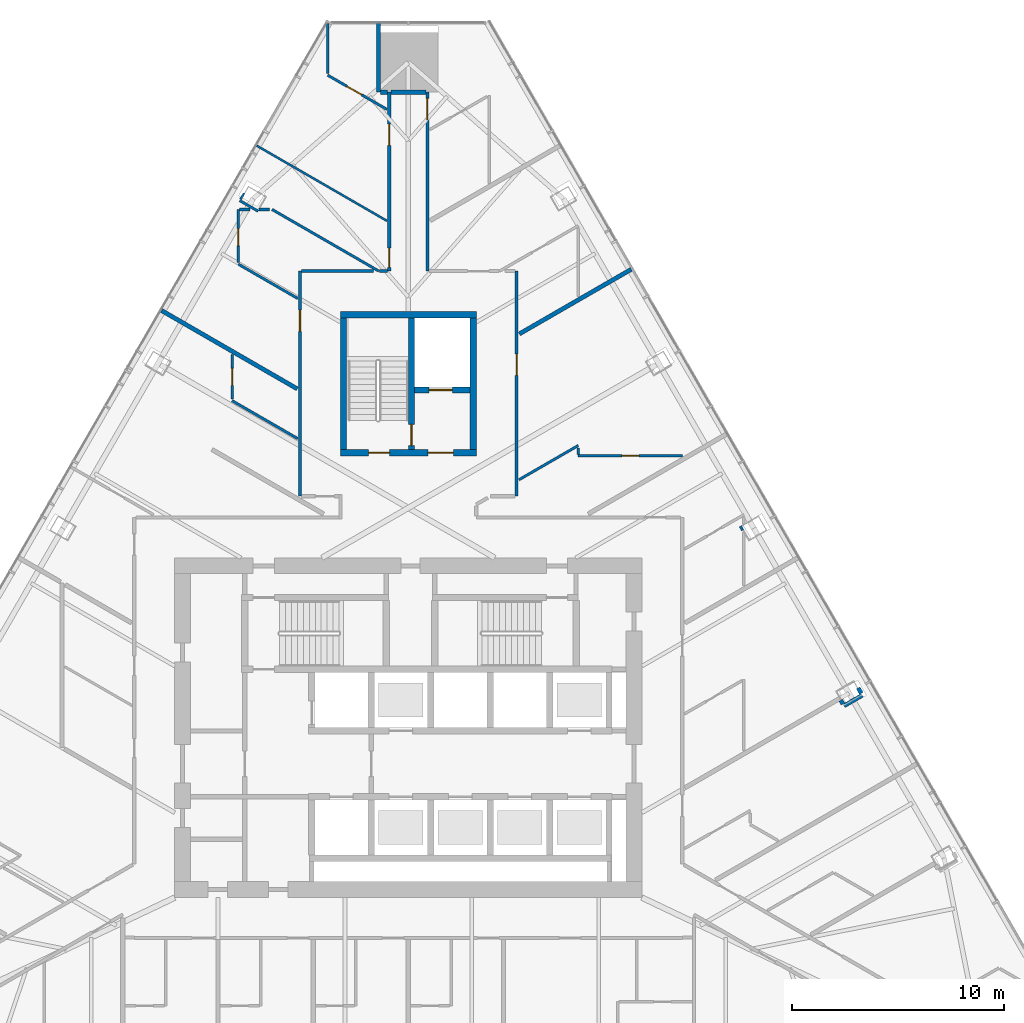
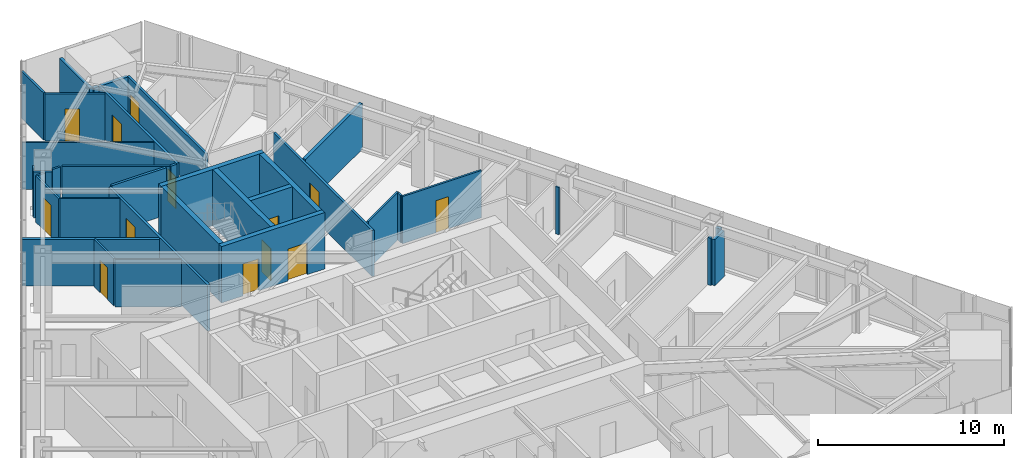
# One storey, part 18 of 21: 36 walls, 13 doors, 13 openings.
"""IFC4 building model written with IfcOpenShell, lengths in metres."""

from ifc_helpers import new_model, si_unit, direction, frame, frame_2d, origin, place, context, subcontext, project, spatial, rectangle, extrude, material, layer, layer_set, type_object, element, fill, save


model = new_model("IFC4")

# Units and contexts
model_context = context("Model", 3, precision=1e-05, world=origin(), true_north=direction((0.0, 1.0)))
body_context = subcontext(model_context, "Body", "Model", "MODEL_VIEW")
ifc_project = project(units=[si_unit("LENGTHUNIT", "METRE"), si_unit("AREAUNIT", "SQUARE_METRE"), si_unit("VOLUMEUNIT", "CUBIC_METRE"), si_unit("PLANEANGLEUNIT", "RADIAN"), si_unit("MASSUNIT", "GRAM", prefix="KILO")], contexts=[model_context])

# Site, building, storey
site_placement = place(None, origin())
site = spatial("IfcSite", under=ifc_project, at=site_placement, CompositionType="ELEMENT")
building_placement = place(site_placement, origin())
building = spatial("IfcBuilding", under=site, at=building_placement, Name="Firuza Gate Tower and Library", CompositionType="ELEMENT")
storey_placement = place(building_placement, frame((0.0, 0.0, 167.5)))
storey = spatial("IfcBuildingStorey", under=building, at=storey_placement, Name="L38", CompositionType="ELEMENT", Elevation=167.5)

# Wall, openings, doors
ifc_material_1 = material(Name="Concrete C80/95", Category="concrete")
ifc_layer_1 = layer(ifc_material_1, 0.300048828125)
ifc_layer_set_1 = layer_set([ifc_layer_1], Name="Core wall 300 C80/95")
wall_type_1 = type_object("IfcWallType", Name="Core wall 300 C80/95", PredefinedType="SHEAR", material=ifc_layer_set_1)
wall_1_placement = place(storey_placement, frame((71.800048828125, 87.949951171875, 0.0), z_axis=(0.0, 0.0, 1.0), x_axis=(1.0, 0.0, 0.0)))
wall_1 = element("IfcWall", 1, at=wall_1_placement, inside=storey, type_object=wall_type_1, Name="Core wall L38 27", PredefinedType="SHEAR", context=body_context, shape_type="SweptSolid", body=[
    extrude(rectangle(XDim=6.39990234375, YDim=0.300048828125, at=frame_2d((3.199951171875, 0.0))), origin(), (0.0, 0.0, 1.0), 3.699951171875),
])
opening_1_placement = place(wall_1_placement, frame((1.324951171875, 0.0, 0.0)))
opening_1 = element("IfcOpeningElement", 2, at=opening_1_placement, cuts=wall_1, Name="Opening L38-K15", PredefinedType="OPENING", context=body_context, shape_type="SweptSolid", body=[
    extrude(rectangle(XDim=1.0, YDim=2.10009765625, at=frame_2d((0.5, 1.050048828125))), frame((0.0, 0.16015625, 0.0), z_axis=(0.0, -1.0, 0.0), x_axis=(1.0, 0.0, 0.0)), (0.0, 0.0, 1.0), 0.320068359375),
])
opening_2_placement = place(wall_1_placement, frame((4.125, 0.0, 0.0)))
opening_2 = element("IfcOpeningElement", 3, at=opening_2_placement, cuts=wall_1, Name="Opening L38-K17", PredefinedType="OPENING", context=body_context, shape_type="SweptSolid", body=[
    extrude(rectangle(XDim=1.199951171875, YDim=2.10009765625, at=frame_2d((0.60009765625, 1.050048828125))), frame((0.0, 0.16015625, 0.0), z_axis=(0.0, -1.0, 0.0), x_axis=(1.0, 0.0, 0.0)), (0.0, 0.0, 1.0), 0.320068359375),
])
ifc_material_2 = material(Name="Steel", Category="steel")
door_type_1 = type_object("IfcDoorType", Name="Fire door 1000x2100 FD90", OperationType="NOTDEFINED", PredefinedType="DOOR", material=ifc_material_2)
door_1_placement = place(opening_1_placement, origin())
door_1 = element("IfcDoor", 4, at=door_1_placement, inside=storey, type_object=door_type_1, Name="Door L38-K15", OperationType="SINGLE_SWING_RIGHT", OverallHeight=2.10009765625, OverallWidth=1.0, PredefinedType="DOOR", context=body_context, shape_type="SweptSolid", body=[
    extrude(rectangle(XDim=1.0, YDim=2.10009765625, at=frame_2d((0.5, 1.050048828125))), frame((0.0, 0.02490234375, 0.0), z_axis=(0.0, -1.0, 0.0), x_axis=(1.0, 0.0, 0.0)), (0.0, 0.0, 1.0), 0.050048828125),
])
fill(opening_1, door_1)
ifc_material_3 = material(Name="Steel", Category="steel")
door_type_2 = type_object("IfcDoorType", Name="Fire door 1200x2100 FD30S", OperationType="NOTDEFINED", PredefinedType="DOOR", material=ifc_material_3)
door_2_placement = place(opening_2_placement, origin())
door_2 = element("IfcDoor", 5, at=door_2_placement, inside=storey, type_object=door_type_2, Name="Door L38-K17", OperationType="SINGLE_SWING_RIGHT", OverallHeight=2.10009765625, OverallWidth=1.199951171875, PredefinedType="DOOR", context=body_context, shape_type="SweptSolid", body=[
    extrude(rectangle(XDim=1.199951171875, YDim=2.10009765625, at=frame_2d((0.60009765625, 1.050048828125))), frame((0.0, 0.02490234375, 0.0), z_axis=(0.0, -1.0, 0.0), x_axis=(1.0, 0.0, 0.0)), (0.0, 0.0, 1.0), 0.050048828125),
])
fill(opening_2, door_2)

# Walls
wall_2_placement = place(storey_placement, frame((71.800048828125, 94.449951171875, 0.0), z_axis=(0.0, 0.0, 1.0), x_axis=(1.0, 0.0, 0.0)))
element("IfcWall", 6, at=wall_2_placement, inside=storey, type_object=wall_type_1, Name="Core wall L38 28", PredefinedType="SHEAR", context=body_context, shape_type="SweptSolid", body=[
    extrude(rectangle(XDim=6.39990234375, YDim=0.300048828125, at=frame_2d((3.199951171875, 0.0))), origin(), (0.0, 0.0, 1.0), 3.699951171875),
])
for number, where, z_axis, x_axis, name in (
    (7, (71.949951171875, 88.10009765625, 0.0), (0.0, 0.0, 1.0), (0.0, 1.0, 0.0), "Core wall L38 29"),
    (8, (78.050048828125, 88.10009765625, 0.0), (0.0, 0.0, 1.0), (0.0, 1.0, 0.0), "Core wall L38 30"),
):
    element("IfcWall", number, at=place(storey_placement, frame(where, z_axis=z_axis, x_axis=x_axis)), inside=storey, type_object=wall_type_1, Name=name, PredefinedType="SHEAR", context=body_context, shape_type="SweptSolid", body=[
        extrude(rectangle(XDim=6.199951171875, YDim=0.300048828125, at=frame_2d((3.10009765625, 0.0))), origin(), (0.0, 0.0, 1.0), 3.699951171875),
    ])

# Wall, opening, door
wall_3_placement = place(storey_placement, frame((75.300048828125, 90.89990234375, 0.0), z_axis=(0.0, 0.0, 1.0), x_axis=(1.0, 0.0, 0.0)))
wall_3 = element("IfcWall", 9, at=wall_3_placement, inside=storey, type_object=wall_type_1, Name="Core wall L38 31", PredefinedType="SHEAR", context=body_context, shape_type="SweptSolid", body=[
    extrude(rectangle(XDim=2.599853515625, YDim=0.300048828125, at=frame_2d((1.2998046875, 0.0))), origin(), (0.0, 0.0, 1.0), 3.699951171875),
])
opening_3_placement = place(wall_3_placement, frame((0.675048828125, 0.0, 0.0)))
opening_3 = element("IfcOpeningElement", 10, at=opening_3_placement, cuts=wall_3, Name="Opening LD-SV1-L38", PredefinedType="OPENING", context=body_context, shape_type="SweptSolid", body=[
    extrude(rectangle(XDim=1.10009765625, YDim=2.10009765625, at=frame_2d((0.550048828125, 1.050048828125))), frame((0.0, 0.16015625, 0.0), z_axis=(0.0, -1.0, 0.0), x_axis=(1.0, 0.0, 0.0)), (0.0, 0.0, 1.0), 0.320068359375),
])
ifc_material_4 = material(Name="Stainless steel", Category="steel")
door_type_3 = type_object("IfcDoorType", Name="Lift landing door 1100x2100", OperationType="DOUBLE_DOOR_SLIDING", PredefinedType="DOOR", material=ifc_material_4)
door_3_placement = place(opening_3_placement, origin())
door_3 = element("IfcDoor", 11, at=door_3_placement, inside=storey, type_object=door_type_3, Name="Landing door SV1 L38", OperationType="DOUBLE_DOOR_SLIDING", OverallHeight=2.10009765625, OverallWidth=1.10009765625, PredefinedType="DOOR", context=body_context, shape_type="SweptSolid", body=[
    extrude(rectangle(XDim=1.10009765625, YDim=2.10009765625, at=frame_2d((0.550048828125, 1.050048828125))), frame((0.0, 0.02490234375, 0.0), z_axis=(0.0, -1.0, 0.0), x_axis=(1.0, 0.0, 0.0)), (0.0, 0.0, 1.0), 0.050048828125),
])
fill(opening_3, door_3)

wall_4_placement = place(storey_placement, frame((75.14990234375, 88.10009765625, 0.0), z_axis=(0.0, 0.0, 1.0), x_axis=(0.0, 1.0, 0.0)))
wall_4 = element("IfcWall", 12, at=wall_4_placement, inside=storey, type_object=wall_type_1, Name="Core wall L38 32", PredefinedType="SHEAR", context=body_context, shape_type="SweptSolid", body=[
    extrude(rectangle(XDim=6.199951171875, YDim=0.300048828125, at=frame_2d((3.10009765625, 0.0))), origin(), (0.0, 0.0, 1.0), 3.699951171875),
])
opening_4_placement = place(wall_4_placement, frame((0.18505859375, 0.0, 0.0)))
opening_4 = element("IfcOpeningElement", 13, at=opening_4_placement, cuts=wall_4, Name="Opening L38-K16", PredefinedType="OPENING", context=body_context, shape_type="SweptSolid", body=[
    extrude(rectangle(XDim=1.0, YDim=2.10009765625, at=frame_2d((0.5, 1.050048828125))), frame((0.0, 0.16015625, 0.0), z_axis=(0.0, -1.0, 0.0), x_axis=(1.0, 0.0, 0.0)), (0.0, 0.0, 1.0), 0.320068359375),
])
door_4_placement = place(opening_4_placement, origin())
door_4 = element("IfcDoor", 14, at=door_4_placement, inside=storey, type_object=door_type_1, Name="Door L38-K16", OperationType="SINGLE_SWING_LEFT", OverallHeight=2.10009765625, OverallWidth=1.0, PredefinedType="DOOR", context=body_context, shape_type="SweptSolid", body=[
    extrude(rectangle(XDim=1.0, YDim=2.10009765625, at=frame_2d((0.5, 1.050048828125))), frame((0.0, 0.02490234375, 0.0), z_axis=(0.0, -1.0, 0.0), x_axis=(1.0, 0.0, 0.0)), (0.0, 0.0, 1.0), 0.050048828125),
])
fill(opening_4, door_4)

# Wall
ifc_material_5 = material(Name="Gypsum board partition")
ifc_layer_2 = layer(ifc_material_5, 0.14990234375)
ifc_layer_set_2 = layer_set([ifc_layer_2], Name="Corridor wall 150 double board on steel studs")
wall_type_2 = type_object("IfcWallType", Name="Corridor wall 150 double board on steel studs", PredefinedType="PARTITIONING", material=ifc_layer_set_2)
wall_5_placement = place(storey_placement, frame((69.97509765625, 96.5, 0.0), z_axis=(0.0, 0.0, 1.0), x_axis=(1.0, 0.0, 0.0)))
element("IfcWall", 15, at=wall_5_placement, inside=storey, type_object=wall_type_2, Name="f:L38:w016", PredefinedType="PARTITIONING", context=body_context, shape_type="SweptSolid", body=[
    extrude(rectangle(XDim=3.384033203125, YDim=0.14990234375, at=frame_2d((1.69189453125, 0.0))), origin(), (0.0, 0.0, 1.0), 3.10009765625),
])

# Wall, opening, door
wall_6_placement = place(storey_placement, frame((80.10009765625, 96.5, 0.0), z_axis=(0.0, 0.0, 1.0), x_axis=(0.0, -1.0, 0.0)))
wall_6 = element("IfcWall", 16, at=wall_6_placement, inside=storey, type_object=wall_type_2, Name="f:L38:w059", PredefinedType="PARTITIONING", context=body_context, shape_type="SweptSolid", body=[
    extrude(rectangle(XDim=10.60009765625, YDim=0.14990234375, at=frame_2d((5.300048828125, 0.0))), origin(), (0.0, 0.0, 1.0), 3.02197265625),
])
opening_5_placement = place(wall_6_placement, frame((3.908935546875, 0.0, 0.0)))
opening_5 = element("IfcOpeningElement", 17, at=opening_5_placement, cuts=wall_6, Name="Opening L38-34", PredefinedType="OPENING", context=body_context, shape_type="SweptSolid", body=[
    extrude(rectangle(XDim=1.0, YDim=2.10009765625, at=frame_2d((0.5, 1.050048828125))), frame((0.0, 0.0849609375, 0.0), z_axis=(0.0, -1.0, 0.0), x_axis=(1.0, 0.0, 0.0)), (0.0, 0.0, 1.0), 0.169921875),
])
ifc_material_6 = material(Name="Steel door and timber leaf", Category="steel")
door_type_4 = type_object("IfcDoorType", Name="Fire door 1000 x 2100 steel frame, timber leaf", OperationType="NOTDEFINED", PredefinedType="DOOR", material=ifc_material_6)
door_5_placement = place(opening_5_placement, origin())
door_5 = element("IfcDoor", 18, at=door_5_placement, inside=storey, type_object=door_type_4, Name="f:L38:d034", OperationType="SINGLE_SWING_RIGHT", OverallHeight=2.10009765625, OverallWidth=1.0, PredefinedType="DOOR", context=body_context, shape_type="SweptSolid", body=[
    extrude(rectangle(XDim=1.0, YDim=2.10009765625, at=frame_2d((0.5, 1.050048828125))), frame((0.0, 0.02490234375, 0.0), z_axis=(0.0, -1.0, 0.0), x_axis=(1.0, 0.0, 0.0)), (0.0, 0.0, 1.0), 0.050048828125),
])
fill(opening_5, door_5)

wall_7_placement = place(storey_placement, frame((75.89990234375, 104.923095703125, 0.0), z_axis=(0.0, 0.0, 1.0), x_axis=(0.0, -1.0, 0.0)))
wall_7 = element("IfcWall", 19, at=wall_7_placement, inside=storey, type_object=wall_type_2, Name="f:L38:w064", PredefinedType="PARTITIONING", context=body_context, shape_type="SweptSolid", body=[
    extrude(rectangle(XDim=8.423095703125, YDim=0.14990234375, at=frame_2d((4.21142578125, 0.0))), origin(), (0.0, 0.0, 1.0), 3.10009765625),
])
opening_6_placement = place(wall_7_placement, frame((0.29443359375, 0.0, 0.0)))
opening_6 = element("IfcOpeningElement", 20, at=opening_6_placement, cuts=wall_7, Name="Opening L38-35", PredefinedType="OPENING", context=body_context, shape_type="SweptSolid", body=[
    extrude(rectangle(XDim=1.0, YDim=2.10009765625, at=frame_2d((0.5, 1.050048828125))), frame((0.0, 0.0849609375, 0.0), z_axis=(0.0, -1.0, 0.0), x_axis=(1.0, 0.0, 0.0)), (0.0, 0.0, 1.0), 0.169921875),
])
door_6_placement = place(opening_6_placement, origin())
door_6 = element("IfcDoor", 21, at=door_6_placement, inside=storey, type_object=door_type_4, Name="f:L38:d035", OperationType="SINGLE_SWING_RIGHT", OverallHeight=2.10009765625, OverallWidth=1.0, PredefinedType="DOOR", context=body_context, shape_type="SweptSolid", body=[
    extrude(rectangle(XDim=1.0, YDim=2.10009765625, at=frame_2d((0.5, 1.050048828125))), frame((0.0, 0.02490234375, 0.0), z_axis=(0.0, -1.0, 0.0), x_axis=(1.0, 0.0, 0.0)), (0.0, 0.0, 1.0), 0.050048828125),
])
fill(opening_6, door_6)

# Wall, openings, doors
wall_8_placement = place(storey_placement, frame((74.10009765625, 96.5, 0.0), z_axis=(0.0, 0.0, 1.0), x_axis=(0.0, 1.0, 0.0)))
wall_8 = element("IfcWall", 22, at=wall_8_placement, inside=storey, type_object=wall_type_2, Name="f:L38:w067", PredefinedType="PARTITIONING", context=body_context, shape_type="SweptSolid", body=[
    extrude(rectangle(XDim=8.423583984375, YDim=0.14990234375, at=frame_2d((4.2119140625, 0.0))), origin(), (0.0, 0.0, 1.0), 3.10009765625),
])
opening_7_placement = place(wall_8_placement, frame((0.175048828125, 0.0, 0.0)))
opening_7 = element("IfcOpeningElement", 23, at=opening_7_placement, cuts=wall_8, Name="Opening L38-36", PredefinedType="OPENING", context=body_context, shape_type="SweptSolid", body=[
    extrude(rectangle(XDim=0.89990234375, YDim=2.10009765625, at=frame_2d((0.449951171875, 1.050048828125))), frame((0.0, 0.0849609375, 0.0), z_axis=(0.0, -1.0, 0.0), x_axis=(1.0, 0.0, 0.0)), (0.0, 0.0, 1.0), 0.169921875),
])
opening_8_placement = place(wall_8_placement, frame((5.915771484375, 0.0, 0.0)))
opening_8 = element("IfcOpeningElement", 24, at=opening_8_placement, cuts=wall_8, Name="Opening L38-37", PredefinedType="OPENING", context=body_context, shape_type="SweptSolid", body=[
    extrude(rectangle(XDim=1.0, YDim=2.10009765625, at=frame_2d((0.5, 1.050048828125))), frame((0.0, 0.0849609375, 0.0), z_axis=(0.0, -1.0, 0.0), x_axis=(1.0, 0.0, 0.0)), (0.0, 0.0, 1.0), 0.169921875),
])
door_7_placement = place(opening_8_placement, origin())
door_7 = element("IfcDoor", 25, at=door_7_placement, inside=storey, type_object=door_type_4, Name="f:L38:d037", OperationType="SINGLE_SWING_LEFT", OverallHeight=2.10009765625, OverallWidth=1.0, PredefinedType="DOOR", context=body_context, shape_type="SweptSolid", body=[
    extrude(rectangle(XDim=1.0, YDim=2.10009765625, at=frame_2d((0.5, 1.050048828125))), frame((0.0, 0.02490234375, 0.0), z_axis=(0.0, -1.0, 0.0), x_axis=(1.0, 0.0, 0.0)), (0.0, 0.0, 1.0), 0.050048828125),
])
fill(opening_8, door_7)
ifc_material_7 = material(Name="Steel door and timber leaf", Category="steel")
door_type_5 = type_object("IfcDoorType", Name="Fire door 900 x 2100 steel frame, timber leaf", OperationType="NOTDEFINED", PredefinedType="DOOR", material=ifc_material_7)
door_8_placement = place(opening_7_placement, origin())
door_8 = element("IfcDoor", 26, at=door_8_placement, inside=storey, type_object=door_type_5, Name="f:L38:d036", OperationType="SINGLE_SWING_LEFT", OverallHeight=2.10009765625, OverallWidth=0.89990234375, PredefinedType="DOOR", context=body_context, shape_type="SweptSolid", body=[
    extrude(rectangle(XDim=0.89990234375, YDim=2.10009765625, at=frame_2d((0.449951171875, 1.050048828125))), frame((0.0, 0.02490234375, 0.0), z_axis=(0.0, -1.0, 0.0), x_axis=(1.0, 0.0, 0.0)), (0.0, 0.0, 1.0), 0.050048828125),
])
fill(opening_7, door_8)

# Wall, opening, door
wall_9_placement = place(storey_placement, frame((69.89990234375, 85.900390625, 0.0), z_axis=(0.0, 0.0, 1.0), x_axis=(0.0, 1.0, 0.0)))
wall_9 = element("IfcWall", 27, at=wall_9_placement, inside=storey, type_object=wall_type_2, Name="f:L38:w073", PredefinedType="PARTITIONING", context=body_context, shape_type="SweptSolid", body=[
    extrude(rectangle(XDim=10.599609375, YDim=0.14990234375, at=frame_2d((5.2998046875, 0.0))), origin(), (0.0, 0.0, 1.0), 3.02197265625),
])
opening_9_placement = place(wall_9_placement, frame((7.76025390625, 0.0, 0.0)))
opening_9 = element("IfcOpeningElement", 28, at=opening_9_placement, cuts=wall_9, Name="Opening L38-38", PredefinedType="OPENING", context=body_context, shape_type="SweptSolid", body=[
    extrude(rectangle(XDim=1.0, YDim=2.10009765625, at=frame_2d((0.5, 1.050048828125))), frame((0.0, 0.0849609375, 0.0), z_axis=(0.0, -1.0, 0.0), x_axis=(1.0, 0.0, 0.0)), (0.0, 0.0, 1.0), 0.169921875),
])
door_9_placement = place(opening_9_placement, origin())
door_9 = element("IfcDoor", 29, at=door_9_placement, inside=storey, type_object=door_type_4, Name="f:L38:d038", OperationType="SINGLE_SWING_RIGHT", OverallHeight=2.10009765625, OverallWidth=1.0, PredefinedType="DOOR", context=body_context, shape_type="SweptSolid", body=[
    extrude(rectangle(XDim=1.0, YDim=2.10009765625, at=frame_2d((0.5, 1.050048828125))), frame((0.0, 0.02490234375, 0.0), z_axis=(0.0, -1.0, 0.0), x_axis=(1.0, 0.0, 0.0)), (0.0, 0.0, 1.0), 0.050048828125),
])
fill(opening_9, door_9)

# Walls
wall_10_placement = place(storey_placement, frame((73.638671875, 96.5, 0.0), z_axis=(0.0, 0.0, 1.0), x_axis=(1.0, 0.0, 0.0)))
element("IfcWall", 30, at=wall_10_placement, inside=storey, type_object=wall_type_2, Name="f:L38:w115", PredefinedType="PARTITIONING", context=body_context, shape_type="SweptSolid", body=[
    extrude(rectangle(XDim=0.38623046875, YDim=0.14990234375, at=frame_2d((0.193115234375, 0.0))), origin(), (0.0, 0.0, 1.0), 3.10009765625),
])
ifc_material_8 = material(Name="Gypsum board partition")
ifc_layer_3 = layer(ifc_material_8, 0.199951171875)
ifc_layer_set_3 = layer_set([ifc_layer_3], Name="Demising wall 200 acoustic double stud")
wall_type_3 = type_object("IfcWallType", Name="Demising wall 200 acoustic double stud", PredefinedType="PARTITIONING", material=ifc_layer_set_3)
wall_11_placement = place(storey_placement, frame((73.700439453125, 104.923095703125, 0.0), z_axis=(0.0, 0.0, 1.0), x_axis=(1.0, 0.0, 0.0)))
element("IfcWall", 31, at=wall_11_placement, inside=storey, type_object=wall_type_3, Name="f:L38:w020", PredefinedType="PARTITIONING", context=body_context, shape_type="SweptSolid", body=[
    extrude(rectangle(XDim=0.324462890625, YDim=0.199951171875, at=frame_2d((0.162109375, 0.0))), origin(), (0.0, 0.0, 1.0), 3.10009765625),
])
wall_12_placement = place(storey_placement, frame((95.511962890625, 76.0322265625, 0.0), z_axis=(0.0, 0.0, 1.0), x_axis=(0.86597798544, 0.50008212199, 0.0)))
element("IfcWall", 32, at=wall_12_placement, inside=storey, type_object=wall_type_3, Name="f:L38:w027", PredefinedType="PARTITIONING", context=body_context, shape_type="SweptSolid", body=[
    extrude(rectangle(XDim=0.998779296875, YDim=0.199951171875, at=frame_2d((0.49951171875, 0.0))), origin(), (0.0, 0.0, 1.0), 3.02197265625),
])
wall_13_placement = place(storey_placement, frame((80.226806640625, 93.54052734375, 0.0), z_axis=(0.0, 0.0, 1.0), x_axis=(0.866033863416, 0.499985347202, 0.0)))
element("IfcWall", 33, at=wall_13_placement, inside=storey, type_object=wall_type_3, Name="f:L38:w041", PredefinedType="PARTITIONING", context=body_context, shape_type="SweptSolid", body=[
    extrude(rectangle(XDim=6.082763671875, YDim=0.199951171875, at=frame_2d((3.04150390625, 0.0))), origin(), (0.0, 0.0, 1.0), 3.02197265625),
])
wall_14_placement = place(storey_placement, frame((73.60009765625, 104.924072265625, 0.0), z_axis=(0.0, 0.0, 1.0), x_axis=(0.0, 1.0, 0.0)))
element("IfcWall", 34, at=wall_14_placement, inside=storey, type_object=wall_type_3, Name="f:L38:w068", PredefinedType="PARTITIONING", context=body_context, shape_type="SweptSolid", body=[
    extrude(rectangle(XDim=3.259521484375, YDim=0.199951171875, at=frame_2d((1.6298828125, 0.0))), origin(), (0.0, 0.0, 1.0), 3.10009765625),
])
wall_15_placement = place(storey_placement, frame((96.326904296875, 76.618896484375, 0.0), z_axis=(0.0, 0.0, 1.0), x_axis=(-0.49965177357, 0.866226359082, 0.0)))
element("IfcWall", 35, at=wall_15_placement, inside=storey, type_object=wall_type_3, Name="f:L38:w088", PredefinedType="PARTITIONING", context=body_context, shape_type="SweptSolid", body=[
    extrude(rectangle(XDim=0.299072265625, YDim=0.199951171875, at=frame_2d((0.1494140625, 0.0))), origin(), (0.0, 0.0, 1.0), 3.10009765625),
])
wall_16_placement = place(storey_placement, frame((95.4609375, 76.118896484375, 0.0), z_axis=(0.0, 0.0, 1.0), x_axis=(-0.500359323436, 0.865817848887, 0.0)))
element("IfcWall", 36, at=wall_16_placement, inside=storey, type_object=wall_type_3, Name="f:L38:w090", PredefinedType="PARTITIONING", context=body_context, shape_type="SweptSolid", body=[
    extrude(rectangle(XDim=0.198974609375, YDim=0.199951171875, at=frame_2d((0.099609375, 0.0))), origin(), (0.0, 0.0, 1.0), 3.10009765625),
])
wall_17_placement = place(storey_placement, frame((69.77294921875, 90.952880859375, 0.0), z_axis=(0.0, 0.0, 1.0), x_axis=(-0.866016371538, 0.500015643983, 0.0)))
element("IfcWall", 37, at=wall_17_placement, inside=storey, type_object=wall_type_3, Name="f:L38:w097", PredefinedType="PARTITIONING", context=body_context, shape_type="SweptSolid", body=[
    extrude(rectangle(XDim=7.376220703125, YDim=0.199951171875, at=frame_2d((3.68798828125, 0.0))), origin(), (0.0, 0.0, 1.0), 3.02197265625),
])
wall_18_placement = place(storey_placement, frame((74.175048828125, 104.923095703125, 0.0), z_axis=(0.0, 0.0, 1.0), x_axis=(1.0, 0.0, 0.0)))
element("IfcWall", 38, at=wall_18_placement, inside=storey, type_object=wall_type_3, Name="f:L38:w117", PredefinedType="PARTITIONING", context=body_context, shape_type="SweptSolid", body=[
    extrude(rectangle(XDim=1.6494140625, YDim=0.199951171875, at=frame_2d((0.82470703125, 0.0))), origin(), (0.0, 0.0, 1.0), 3.096923828125),
])
ifc_material_9 = material(Name="Gypsum board partition")
ifc_layer_4 = layer(ifc_material_9, 0.10009765625)
ifc_layer_set_4 = layer_set([ifc_layer_4], Name="Partition 100 gypsum board on steel studs")
wall_type_4 = type_object("IfcWallType", Name="Partition 100 gypsum board on steel studs", PredefinedType="PARTITIONING", material=ifc_layer_set_4)
wall_19_placement = place(storey_placement, frame((67.10009765625, 99.876708984375, 0.0), z_axis=(0.0, 0.0, 1.0), x_axis=(0.500277597875, 0.865865073245, 0.0)))
element("IfcWall", 39, at=wall_19_placement, inside=storey, type_object=wall_type_4, Name="f:L38:w046", PredefinedType="PARTITIONING", context=body_context, shape_type="SweptSolid", body=[
    extrude(rectangle(XDim=0.329833984375, YDim=0.10009765625, at=frame_2d((0.1650390625, 0.0))), origin(), (0.0, 0.0, 1.0), 3.10009765625),
])
wall_20_placement = place(storey_placement, frame((73.998779296875, 98.861572265625, 0.0), z_axis=(0.0, 0.0, 1.0), x_axis=(-0.866025982437, 0.499998997742, 0.0)))
element("IfcWall", 40, at=wall_20_placement, inside=storey, type_object=wall_type_4, Name="f:L38:w093", PredefinedType="PARTITIONING", context=body_context, shape_type="SweptSolid", body=[
    extrude(rectangle(XDim=7.08154296875, YDim=0.10009765625, at=frame_2d((3.540771484375, 0.0))), origin(), (0.0, 0.0, 1.0), 3.10009765625),
])

# Wall, opening, door
ifc_material_10 = material(Name="Gypsum board partition")
ifc_layer_5 = layer(ifc_material_10, 0.1201171875)
ifc_layer_set_5 = layer_set([ifc_layer_5], Name="Wet-area partition 120 moisture-resistant board")
wall_type_5 = type_object("IfcWallType", Name="Wet-area partition 120 moisture-resistant board", PredefinedType="PARTITIONING", material=ifc_layer_set_5)
wall_21_placement = place(storey_placement, frame((87.8984375, 87.800048828125, 0.0), z_axis=(0.0, 0.0, 1.0), x_axis=(-1.0, 0.0, 0.0)))
wall_21 = element("IfcWall", 41, at=wall_21_placement, inside=storey, type_object=wall_type_5, Name="f:L38:w015", PredefinedType="PARTITIONING", context=body_context, shape_type="SweptSolid", body=[
    extrude(rectangle(XDim=4.8984375, YDim=0.1201171875, at=frame_2d((2.44921875, 0.0))), origin(), (0.0, 0.0, 1.0), 3.10009765625),
])
opening_10_placement = place(wall_21_placement, frame((2.049072265625, 0.0, 0.0)))
opening_10 = element("IfcOpeningElement", 42, at=opening_10_placement, cuts=wall_21, Name="Opening L38-13", PredefinedType="OPENING", context=body_context, shape_type="SweptSolid", body=[
    extrude(rectangle(XDim=0.800048828125, YDim=2.10009765625, at=frame_2d((0.39990234375, 1.050048828125))), frame((0.0, 0.070068359375, 0.0), z_axis=(0.0, -1.0, 0.0), x_axis=(1.0, 0.0, 0.0)), (0.0, 0.0, 1.0), 0.14013671875),
])
ifc_material_11 = material(Name="Timber door", Category="wood")
door_type_6 = type_object("IfcDoorType", Name="Door 800 x 2100 timber leaf", OperationType="NOTDEFINED", PredefinedType="DOOR", material=ifc_material_11)
door_10_placement = place(opening_10_placement, origin())
door_10 = element("IfcDoor", 43, at=door_10_placement, inside=storey, type_object=door_type_6, Name="f:L38:d013", OperationType="SINGLE_SWING_LEFT", OverallHeight=2.10009765625, OverallWidth=0.800048828125, PredefinedType="DOOR", context=body_context, shape_type="SweptSolid", body=[
    extrude(rectangle(XDim=0.800048828125, YDim=2.10009765625, at=frame_2d((0.39990234375, 1.050048828125))), frame((0.0, 0.02490234375, 0.0), z_axis=(0.0, -1.0, 0.0), x_axis=(1.0, 0.0, 0.0)), (0.0, 0.0, 1.0), 0.050048828125),
])
fill(opening_10, door_10)

# Walls
wall_22_placement = place(storey_placement, frame((67.06005859375, 99.39990234375, 0.0), z_axis=(0.0, 0.0, 1.0), x_axis=(1.0, 0.0, 0.0)))
element("IfcWall", 44, at=wall_22_placement, inside=storey, type_object=wall_type_5, Name="f:L38:w018", PredefinedType="PARTITIONING", context=body_context, shape_type="SweptSolid", body=[
    extrude(rectangle(XDim=0.49560546875, YDim=0.1201171875, at=frame_2d((0.247802734375, 0.0))), origin(), (0.0, 0.0, 1.0), 3.02197265625),
])
wall_23_placement = place(storey_placement, frame((67.97998046875, 99.39990234375, 0.0), z_axis=(0.0, 0.0, 1.0), x_axis=(1.0, 0.0, 0.0)))
element("IfcWall", 45, at=wall_23_placement, inside=storey, type_object=wall_type_5, Name="f:L38:w019", PredefinedType="PARTITIONING", context=body_context, shape_type="SweptSolid", body=[
    extrude(rectangle(XDim=0.485595703125, YDim=0.1201171875, at=frame_2d((0.24267578125, 0.0))), origin(), (0.0, 0.0, 1.0), 3.10009765625),
])
wall_24_placement = place(storey_placement, frame((80.20947265625, 86.675048828125, 0.0), z_axis=(0.0, 0.0, 1.0), x_axis=(0.86604299788, 0.499969524894, 0.0)))
element("IfcWall", 46, at=wall_24_placement, inside=storey, type_object=wall_type_5, Name="f:L38:w040", PredefinedType="PARTITIONING", context=body_context, shape_type="SweptSolid", body=[
    extrude(rectangle(XDim=3.221923828125, YDim=0.1201171875, at=frame_2d((1.61083984375, 0.0))), origin(), (0.0, 0.0, 1.0), 3.10009765625),
])
wall_25_placement = place(storey_placement, frame((83.0, 87.860107421875, 0.0), z_axis=(0.0, 0.0, 1.0), x_axis=(0.0, 1.0, 0.0)))
element("IfcWall", 47, at=wall_25_placement, inside=storey, type_object=wall_type_5, Name="f:L38:w057", PredefinedType="PARTITIONING", context=body_context, shape_type="SweptSolid", body=[
    extrude(rectangle(XDim=0.316162109375, YDim=0.1201171875, at=frame_2d((0.158203125, 0.0))), origin(), (0.0, 0.0, 1.0), 3.10009765625),
])
wall_26_placement = place(storey_placement, frame((71.199951171875, 105.7939453125, 0.0), z_axis=(0.0, 0.0, 1.0), x_axis=(0.0, 1.0, 0.0)))
element("IfcWall", 48, at=wall_26_placement, inside=storey, type_object=wall_type_5, Name="f:L38:w071", PredefinedType="PARTITIONING", context=body_context, shape_type="SweptSolid", body=[
    extrude(rectangle(XDim=2.359619140625, YDim=0.1201171875, at=frame_2d((1.1796875, 0.0))), origin(), (0.0, 0.0, 1.0), 3.10009765625),
])

# Wall, opening, door
wall_27_placement = place(storey_placement, frame((67.0, 99.39990234375, 0.0), z_axis=(0.0, 0.0, 1.0), x_axis=(0.0, -1.0, 0.0)))
wall_27 = element("IfcWall", 49, at=wall_27_placement, inside=storey, type_object=wall_type_5, Name="f:L38:w075", PredefinedType="PARTITIONING", context=body_context, shape_type="SweptSolid", body=[
    extrude(rectangle(XDim=2.5078125, YDim=0.1201171875, at=frame_2d((1.25390625, 0.0))), origin(), (0.0, 0.0, 1.0), 3.02197265625),
])
opening_11_placement = place(wall_27_placement, frame((0.89990234375, 0.0, 0.0)))
opening_11 = element("IfcOpeningElement", 50, at=opening_11_placement, cuts=wall_27, Name="Opening L38-39", PredefinedType="OPENING", context=body_context, shape_type="SweptSolid", body=[
    extrude(rectangle(XDim=0.800048828125, YDim=2.10009765625, at=frame_2d((0.39990234375, 1.050048828125))), frame((0.0, 0.070068359375, 0.0), z_axis=(0.0, -1.0, 0.0), x_axis=(1.0, 0.0, 0.0)), (0.0, 0.0, 1.0), 0.14013671875),
])
door_11_placement = place(opening_11_placement, origin())
door_11 = element("IfcDoor", 51, at=door_11_placement, inside=storey, type_object=door_type_6, Name="f:L38:d039", OperationType="SINGLE_SWING_RIGHT", OverallHeight=2.10009765625, OverallWidth=0.800048828125, PredefinedType="DOOR", context=body_context, shape_type="SweptSolid", body=[
    extrude(rectangle(XDim=0.800048828125, YDim=2.10009765625, at=frame_2d((0.39990234375, 1.050048828125))), frame((0.0, 0.02490234375, 0.0), z_axis=(0.0, -1.0, 0.0), x_axis=(1.0, 0.0, 0.0)), (0.0, 0.0, 1.0), 0.050048828125),
])
fill(opening_11, door_11)

wall_28_placement = place(storey_placement, frame((66.699951171875, 92.572021484375, 0.0), z_axis=(0.0, 0.0, 1.0), x_axis=(0.0, -1.0, 0.0)))
wall_28 = element("IfcWall", 52, at=wall_28_placement, inside=storey, type_object=wall_type_5, Name="f:L38:w076", PredefinedType="PARTITIONING", context=body_context, shape_type="SweptSolid", body=[
    extrude(rectangle(XDim=2.103759765625, YDim=0.1201171875, at=frame_2d((1.0517578125, 0.0))), origin(), (0.0, 0.0, 1.0), 3.10009765625),
])
opening_12_placement = place(wall_28_placement, frame((0.65185546875, 0.0, 0.0)))
opening_12 = element("IfcOpeningElement", 53, at=opening_12_placement, cuts=wall_28, Name="Opening L38-40", PredefinedType="OPENING", context=body_context, shape_type="SweptSolid", body=[
    extrude(rectangle(XDim=0.800048828125, YDim=2.10009765625, at=frame_2d((0.39990234375, 1.050048828125))), frame((0.0, 0.070068359375, 0.0), z_axis=(0.0, -1.0, 0.0), x_axis=(1.0, 0.0, 0.0)), (0.0, 0.0, 1.0), 0.14013671875),
])
door_12_placement = place(opening_12_placement, origin())
door_12 = element("IfcDoor", 54, at=door_12_placement, inside=storey, type_object=door_type_6, Name="f:L38:d040", OperationType="SINGLE_SWING_RIGHT", OverallHeight=2.10009765625, OverallWidth=0.800048828125, PredefinedType="DOOR", context=body_context, shape_type="SweptSolid", body=[
    extrude(rectangle(XDim=0.800048828125, YDim=2.10009765625, at=frame_2d((0.39990234375, 1.050048828125))), frame((0.0, 0.02490234375, 0.0), z_axis=(0.0, -1.0, 0.0), x_axis=(1.0, 0.0, 0.0)), (0.0, 0.0, 1.0), 0.050048828125),
])
fill(opening_12, door_12)

# Wall
wall_29_placement = place(storey_placement, frame((90.73974609375, 84.296142578125, 0.0), z_axis=(0.0, 0.0, 1.0), x_axis=(-0.500333292614, 0.865832891673, 0.0)))
element("IfcWall", 55, at=wall_29_placement, inside=storey, type_object=wall_type_5, Name="f:L38:w091", PredefinedType="PARTITIONING", context=body_context, shape_type="SweptSolid", body=[
    extrude(rectangle(XDim=0.218994140625, YDim=0.1201171875, at=frame_2d((0.109375, 0.0))), origin(), (0.0, 0.0, 1.0), 3.10009765625),
])

# Wall, opening, door
wall_30_placement = place(storey_placement, frame((71.199951171875, 105.724365234375, 0.0), z_axis=(0.0, 0.0, 1.0), x_axis=(0.86604299788, -0.499969524894, 0.0)))
wall_30 = element("IfcWall", 56, at=wall_30_placement, inside=storey, type_object=wall_type_5, Name="f:L38:w092", PredefinedType="PARTITIONING", context=body_context, shape_type="SweptSolid", body=[
    extrude(rectangle(XDim=3.221923828125, YDim=0.1201171875, at=frame_2d((1.61083984375, 0.0))), origin(), (0.0, 0.0, 1.0), 3.10009765625),
])
opening_13_placement = place(wall_30_placement, frame((1.06103515625, 0.0, 0.0)))
opening_13 = element("IfcOpeningElement", 57, at=opening_13_placement, cuts=wall_30, Name="Opening L38-44", PredefinedType="OPENING", context=body_context, shape_type="SweptSolid", body=[
    extrude(rectangle(XDim=0.800048828125, YDim=2.10009765625, at=frame_2d((0.39990234375, 1.050048828125))), frame((0.0, 0.070068359375, 0.0), z_axis=(0.0, -1.0, 0.0), x_axis=(1.0, 0.0, 0.0)), (0.0, 0.0, 1.0), 0.14013671875),
])
door_13_placement = place(opening_13_placement, origin())
door_13 = element("IfcDoor", 58, at=door_13_placement, inside=storey, type_object=door_type_6, Name="f:L38:d044", OperationType="SINGLE_SWING_LEFT", OverallHeight=2.10009765625, OverallWidth=0.800048828125, PredefinedType="DOOR", context=body_context, shape_type="SweptSolid", body=[
    extrude(rectangle(XDim=0.800048828125, YDim=2.10009765625, at=frame_2d((0.39990234375, 1.050048828125))), frame((0.0, 0.02490234375, 0.0), z_axis=(0.0, -1.0, 0.0), x_axis=(1.0, 0.0, 0.0)), (0.0, 0.0, 1.0), 0.050048828125),
])
fill(opening_13, door_13)

# Walls
wall_31_placement = place(storey_placement, frame((73.608642578125, 96.500244140625, 0.0), z_axis=(0.0, 0.0, 1.0), x_axis=(-0.866032775405, 0.499987231761, 0.0)))
element("IfcWall", 59, at=wall_31_placement, inside=storey, type_object=wall_type_5, Name="f:L38:w094", PredefinedType="PARTITIONING", context=body_context, shape_type="SweptSolid", body=[
    extrude(rectangle(XDim=5.800048828125, YDim=0.1201171875, at=frame_2d((2.89990234375, 0.0))), origin(), (0.0, 0.0, 1.0), 3.10009765625),
])
wall_32_placement = place(storey_placement, frame((67.931640625, 99.31591796875, 0.0), z_axis=(0.0, 0.0, 1.0), x_axis=(-0.866010750942, 0.50002537861, 0.0)))
element("IfcWall", 60, at=wall_32_placement, inside=storey, type_object=wall_type_5, Name="f:L38:w095", PredefinedType="PARTITIONING", context=body_context, shape_type="SweptSolid", body=[
    extrude(rectangle(XDim=1.0, YDim=0.1201171875, at=frame_2d((0.5, 0.0))), origin(), (0.0, 0.0, 1.0), 3.02197265625),
])
wall_33_placement = place(storey_placement, frame((69.790283203125, 95.2119140625, 0.0), z_axis=(0.0, 0.0, 1.0), x_axis=(-0.86604299788, 0.499969524894, 0.0)))
element("IfcWall", 61, at=wall_33_placement, inside=storey, type_object=wall_type_5, Name="f:L38:w096", PredefinedType="PARTITIONING", context=body_context, shape_type="SweptSolid", body=[
    extrude(rectangle(XDim=3.221923828125, YDim=0.1201171875, at=frame_2d((1.61083984375, 0.0))), origin(), (0.0, 0.0, 1.0), 3.10009765625),
])
wall_34_placement = place(storey_placement, frame((69.79052734375, 88.614990234375, 0.0), z_axis=(0.0, 0.0, 1.0), x_axis=(-0.866045460162, 0.499965259726, 0.0)))
element("IfcWall", 62, at=wall_34_placement, inside=storey, type_object=wall_type_5, Name="f:L38:w098", PredefinedType="PARTITIONING", context=body_context, shape_type="SweptSolid", body=[
    extrude(rectangle(XDim=3.568603515625, YDim=0.1201171875, at=frame_2d((1.7841796875, 0.0))), origin(), (0.0, 0.0, 1.0), 3.10009765625),
])

save(model, "model.ifc")
